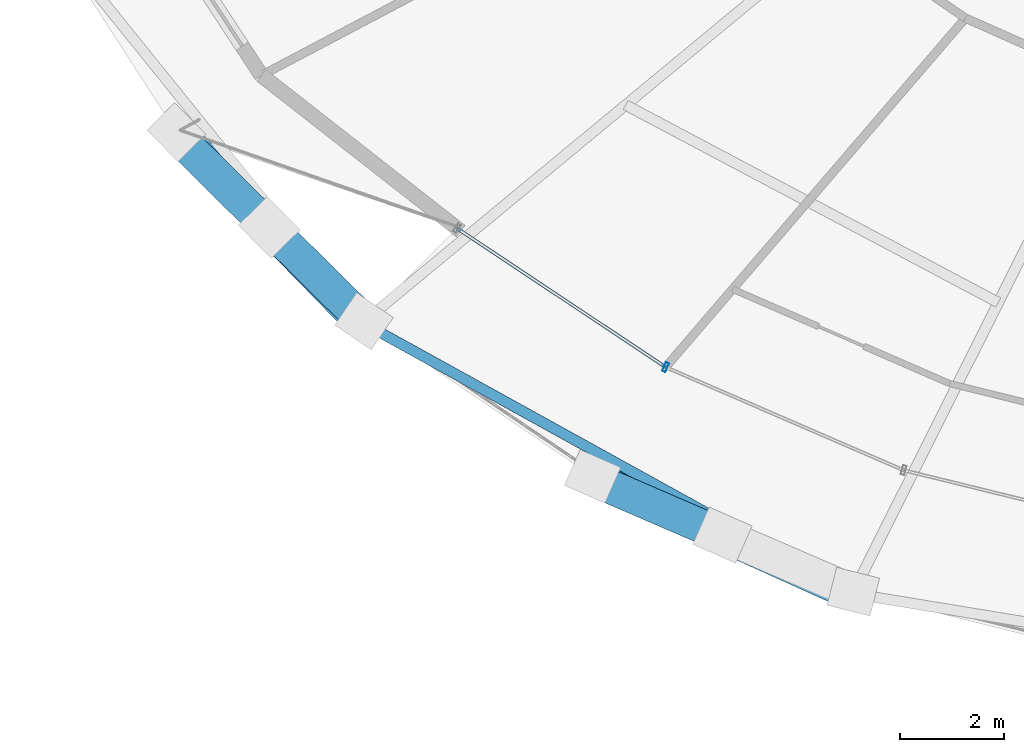
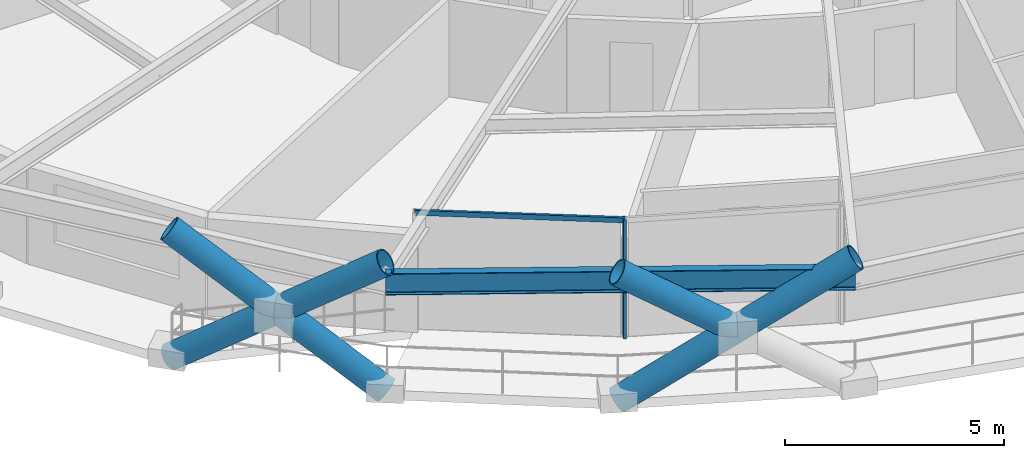
# One storey, part 1 of 19: 7 members, 1 beam, 1 element without a shape of its own.
"""IFC4 building model written with IfcOpenShell, lengths in metres."""

from ifc_helpers import new_model, si_unit, direction, frame, origin, origin_2d, place, context, subcontext, project, spatial, hollow_rectangle, hollow_circle, i_section, extrude, material, layer, layer_set, material_profile, profile_set, type_object, element, aggregate, save


model = new_model("IFC4")

# Units and contexts
model_context = context("Model", 3, precision=1e-05, world=origin(), true_north=direction((0.0, 1.0)))
body_context = subcontext(model_context, "Body", "Model", "MODEL_VIEW")
ifc_project = project(units=[si_unit("LENGTHUNIT", "METRE"), si_unit("AREAUNIT", "SQUARE_METRE"), si_unit("VOLUMEUNIT", "CUBIC_METRE"), si_unit("PLANEANGLEUNIT", "RADIAN"), si_unit("MASSUNIT", "GRAM", prefix="KILO")], contexts=[model_context])

# Site, building, storey
site_placement = place(None, origin())
site = spatial("IfcSite", under=ifc_project, at=site_placement, CompositionType="ELEMENT")
building_placement = place(site_placement, origin())
building = spatial("IfcBuilding", under=site, at=building_placement, Name="Veldorina Hangang Commons", CompositionType="ELEMENT")
storey_placement = place(building_placement, frame((0.0, 0.0, 70.0)))
storey = spatial("IfcBuildingStorey", under=building, at=storey_placement, Name="L17", CompositionType="ELEMENT", Elevation=70.0)

# Beam
ifc_material_1 = material(Name="Steel SM420-TMC", Category="steel")
ifc_material_profile_1 = material_profile(ifc_material_1, i_section(OverallWidth=0.199951171875, OverallDepth=0.60009765625, WebThickness=0.010986328125, FlangeThickness=0.01708984375, FilletRadius=0.01806640625, at=origin_2d()), Name="H-600x200x11x17")
ifc_profile_set_1 = profile_set([ifc_material_profile_1], Name="Steel SM420-TMC")
beam_type = type_object("IfcBeamType", Name="BM-RB600", PredefinedType="BEAM", material=ifc_profile_set_1)
beam_placement = place(storey_placement, frame((11.525634765625, 7.06103515625, 3.0400390625), z_axis=(0.87518958312, -0.483780108724, 0.0), x_axis=(0.483780108724, 0.87518958312, 0.0)))
element("IfcBeam", 1, at=beam_placement, inside=storey, type_object=beam_type, Name="L17 perimeter hoop ring beam 20", PredefinedType="BEAM", context=body_context, shape_type="SweptSolid", body=[
    extrude(i_section(OverallWidth=0.199951171875, OverallDepth=0.60009765625, WebThickness=0.010986328125, FlangeThickness=0.01708984375, FilletRadius=0.01806640625, at=origin_2d()), origin(), (0.0, 0.0, 1.0), 10.7333984375),
])

# Curtain wall, members
ifc_material_2 = material(Name="Glass Low-E Triple IGU", Category="glass")
ifc_layer = layer(ifc_material_2, 0.179931640625)
ifc_layer_set = layer_set([ifc_layer], Name="Glass Low-E Triple IGU")
curtain_wall_type = type_object("IfcCurtainWallType", Name="CW-SYS-Z1", PredefinedType="NOTDEFINED", material=ifc_layer_set)
curtain_wall_placement = place(storey_placement, origin())
curtain_wall = element("IfcCurtainWall", 2, at=curtain_wall_placement, inside=storey, type_object=curtain_wall_type, Name="L17 unitised curtain wall CW-L17-R1", PredefinedType="NOTDEFINED")
ifc_material_3 = material(Name="Aluminium Anodized AA6063-T6", Category="aluminium")
ifc_material_profile_2 = material_profile(ifc_material_3, hollow_rectangle(XDim=0.070068359375, YDim=0.179931640625, WallThickness=0.00390625, at=origin_2d()), Name="ALU-RHS-180x70x4")
ifc_profile_set_2 = profile_set([ifc_material_profile_2], Name="Aluminium Anodized AA6063-T6")
member_type_1 = type_object("IfcMemberType", Name="CW-MUL-180", PredefinedType="MULLION", material=ifc_profile_set_2)
member_1_placement = place(storey_placement, frame((17.335205078125, 6.2099609375, 0.0), z_axis=(0.0, 0.0, 1.0), x_axis=(0.917588188255, -0.39753228394, 0.0)))
member_1 = element("IfcMember", 3, at=member_1_placement, type_object=member_type_1, Name="CW-L17-R1 vertical mullion 2", PredefinedType="MULLION", context=body_context, shape_type="SweptSolid", body=[
    extrude(hollow_rectangle(XDim=0.070068359375, YDim=0.179931640625, WallThickness=0.00390625, at=origin_2d()), origin(), (0.0, 0.0, 1.0), 3.300048828125),
])
ifc_material_profile_3 = material_profile(ifc_material_3, hollow_rectangle(XDim=0.06005859375, YDim=0.139892578125, WallThickness=0.00341796875, at=origin_2d()), Name="ALU-RHS-140x60x3.5")
ifc_profile_set_3 = profile_set([ifc_material_profile_3], Name="Aluminium Anodized AA6063-T6")
member_type_2 = type_object("IfcMemberType", Name="CW-TRN-140", PredefinedType="USERDEFINED", material=ifc_profile_set_3)
member_2_placement = place(storey_placement, frame((13.33544921875, 8.870849609375, 3.260009765625), z_axis=(0.832589378126, -0.553890717951, 0.0), x_axis=(0.553890717951, 0.832589378126, 0.0)))
member_2 = element("IfcMember", 4, at=member_2_placement, type_object=member_type_2, Name="CW-L17-R1 facet 1 transom 1", ObjectType="TRANSOM", PredefinedType="USERDEFINED", context=body_context, shape_type="SweptSolid", body=[
    extrude(hollow_rectangle(XDim=0.06005859375, YDim=0.139892578125, WallThickness=0.00341796875, at=origin_2d()), origin(), (0.0, 0.0, 1.0), 4.803955078125),
])
aggregate(curtain_wall, [member_1, member_2])

# Members
ifc_material_4 = material(Name="Steel SM460-TMC", Category="steel")
ifc_material_profile_4 = material_profile(ifc_material_4, hollow_circle(Radius=0.324951171875, WallThickness=0.031982421875, at=origin_2d()), Name="CHS-650x32")
ifc_profile_set_4 = profile_set([ifc_material_profile_4], Name="Steel SM460-TMC")
member_type_3 = type_object("IfcMemberType", Name="DG-CHS650", PredefinedType="BRACE", material=ifc_profile_set_4)
member_3_placement = place(storey_placement, frame((7.95751953125, 10.713134765625, 0.0), z_axis=(0.570308888505, -0.585393117021, 0.576248791962), x_axis=(0.716274934677, 0.697818184024, 0.0)))
element("IfcMember", 5, at=member_3_placement, inside=storey, type_object=member_type_3, Name="L17 continuous perimeter diagrid brace 19", PredefinedType="BRACE", context=body_context, shape_type="SweptSolid", body=[
    extrude(hollow_circle(Radius=0.324951171875, WallThickness=0.031982421875, at=origin_2d()), origin(), (0.0, 0.0, 1.0), 6.24755859375),
])
member_4_placement = place(storey_placement, frame((11.553466796875, 7.089111328125, 0.0), z_axis=(-0.581276548972, 0.575181701436, 0.575572396791), x_axis=(-0.703370369088, -0.710823553274, 0.0)))
element("IfcMember", 6, at=member_4_placement, inside=storey, type_object=member_type_3, Name="L17 split perimeter diagrid lower brace 20", PredefinedType="BRACE", context=body_context, shape_type="SweptSolid", body=[
    extrude(hollow_circle(Radius=0.324951171875, WallThickness=0.031982421875, at=origin_2d()), origin(), (0.0, 0.0, 1.0), 3.12451171875),
])
member_5_placement = place(storey_placement, frame((9.7373046875, 8.88623046875, 1.79833984375), z_axis=(-0.581010368603, 0.575394481029, 0.575628476344), x_axis=(-0.703664537305, -0.710532348975, 0.0)))
element("IfcMember", 7, at=member_5_placement, inside=storey, type_object=member_type_3, Name="L17 split perimeter diagrid upper brace 20", PredefinedType="BRACE", context=body_context, shape_type="SweptSolid", body=[
    extrude(hollow_circle(Radius=0.324951171875, WallThickness=0.031982421875, at=origin_2d()), origin(), (0.0, 0.0, 1.0), 3.130126953125),
])
member_6_placement = place(storey_placement, frame((15.935302734375, 4.11474609375, 0.0), z_axis=(0.76095570114, -0.344207232555, 0.549970728276), x_axis=(0.412133447397, 0.91112349412, 0.0)))
element("IfcMember", 8, at=member_6_placement, inside=storey, type_object=member_type_3, Name="L17 continuous perimeter diagrid brace 21", PredefinedType="BRACE", context=body_context, shape_type="SweptSolid", body=[
    extrude(hollow_circle(Radius=0.324951171875, WallThickness=0.031982421875, at=origin_2d()), origin(), (0.0, 0.0, 1.0), 6.5458984375),
])
member_7_placement = place(storey_placement, frame((18.423828125, 2.989013671875, 1.798583984375), z_axis=(-0.766919557399, 0.33152013492, 0.549480475196), x_axis=(-0.396789387232, -0.91790968084, 0.0)))
element("IfcMember", 9, at=member_7_placement, inside=storey, type_object=member_type_3, Name="L17 split perimeter diagrid upper brace 22", PredefinedType="BRACE", context=body_context, shape_type="SweptSolid", body=[
    extrude(hollow_circle(Radius=0.324951171875, WallThickness=0.031982421875, at=origin_2d()), origin(), (0.0, 0.0, 1.0), 3.278564453125),
])

save(model, "model.ifc")
